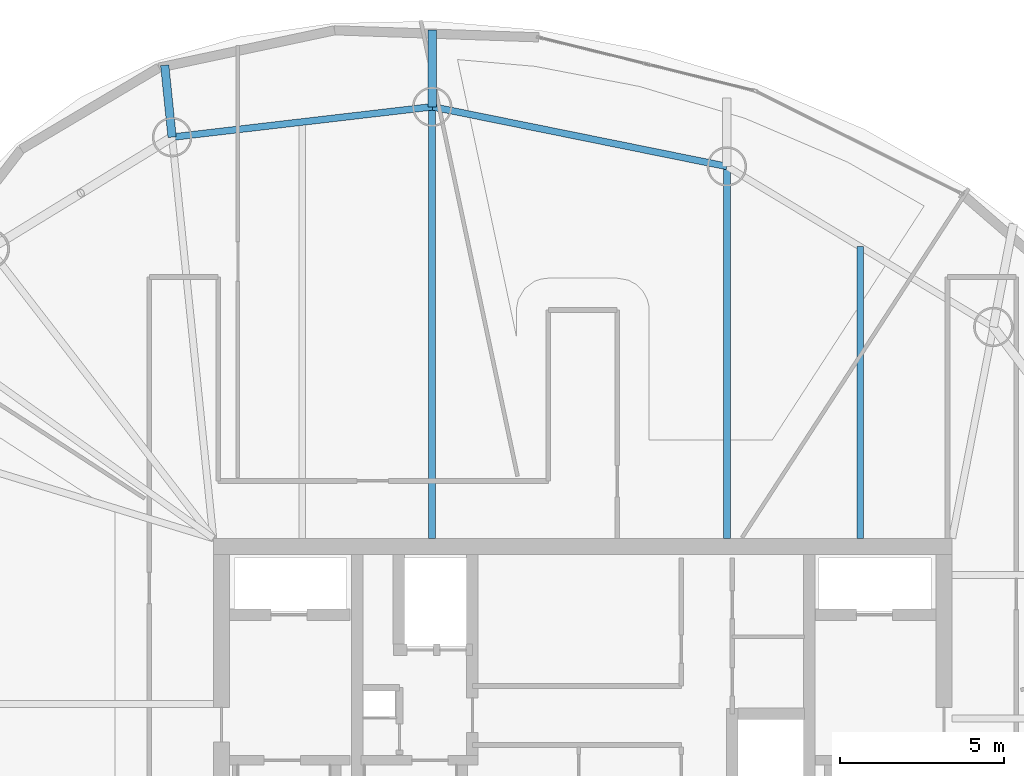
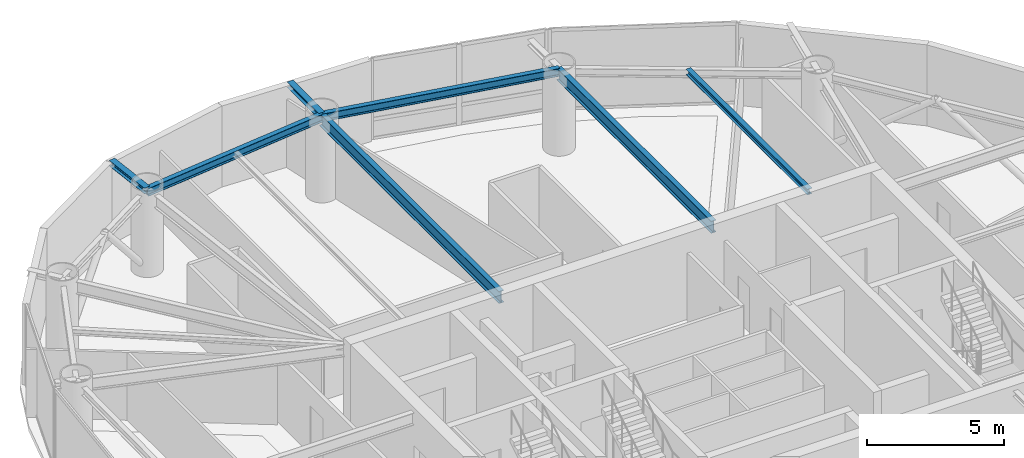
# One storey, part 12 of 22: 7 beams.
"""IFC4 building model written with IfcOpenShell, lengths in metres."""

from ifc_helpers import new_model, si_unit, direction, frame, origin, origin_2d, place, context, subcontext, project, spatial, i_section, extrude, material, material_profile, profile_set, type_object, element, save


model = new_model("IFC4")

# Units and contexts
model_context = context("Model", 3, precision=1e-05, world=origin(), true_north=direction((0.0, 1.0)))
body_context = subcontext(model_context, "Body", "Model", "MODEL_VIEW")
ifc_project = project(units=[si_unit("LENGTHUNIT", "METRE"), si_unit("AREAUNIT", "SQUARE_METRE"), si_unit("VOLUMEUNIT", "CUBIC_METRE"), si_unit("PLANEANGLEUNIT", "RADIAN"), si_unit("MASSUNIT", "GRAM", prefix="KILO")], contexts=[model_context])

# Site, building, storey
site_placement = place(None, origin())
site = spatial("IfcSite", under=ifc_project, at=site_placement, CompositionType="ELEMENT")
building_placement = place(site_placement, origin())
building = spatial("IfcBuilding", under=site, at=building_placement, Name="Bramvorn Convention Spire", CompositionType="ELEMENT")
storey_placement = place(building_placement, frame((0.0, 0.0, 225.10009765625)))
storey = spatial("IfcBuildingStorey", under=building, at=storey_placement, Name="L57", CompositionType="ELEMENT", Elevation=225.10009765625)

# Beams
ifc_material = material(Name="Steel CSA G40.21 Grade 350 (350W)", Category="steel")
ifc_material_profile_1 = material_profile(ifc_material, i_section(OverallWidth=0.201904296875, OverallDepth=0.2470703125, WebThickness=0.00732421875, FlangeThickness=0.010986328125, FilletRadius=0.011962890625, at=origin_2d()))
ifc_profile_set_1 = profile_set([ifc_material_profile_1], Name="Steel CSA G40.21 Grade 350 (350W) - W250X49")
beam_type_1 = type_object("IfcBeamType", Name="BM-W250X49", PredefinedType="JOIST", material=ifc_profile_set_1)
beam_1_placement = place(storey_placement, frame((46.445556640625, 33.449951171875, 3.496337890625), z_axis=(0.0, 1.0, 0.0), x_axis=(-1.0, 0.0, 0.0)))
element("IfcBeam", 1, at=beam_1_placement, inside=storey, type_object=beam_type_1, Name="L57 composite floor joist 05", PredefinedType="JOIST", context=body_context, shape_type="SweptSolid", body=[
    extrude(i_section(OverallWidth=0.201904296875, OverallDepth=0.2470703125, WebThickness=0.00732421875, FlangeThickness=0.010986328125, FilletRadius=0.011962890625, at=origin_2d()), origin(), (0.0, 0.0, 1.0), 8.878662109375),
])
ifc_material_profile_2 = material_profile(ifc_material, i_section(OverallWidth=0.25390625, OverallDepth=0.2529296875, WebThickness=0.008544921875, FlangeThickness=0.01416015625, FilletRadius=0.011962890625, at=origin_2d()))
ifc_profile_set_2 = profile_set([ifc_material_profile_2], Name="Steel CSA G40.21 Grade 350 (350W) - W250X73")
beam_type_2 = type_object("IfcBeamType", Name="BM-W250X73", PredefinedType="BEAM", material=ifc_profile_set_2)
beam_2_placement = place(storey_placement, frame((33.416259765625, 46.58837890625, 3.493408203125), z_axis=(0.0, 1.0, 0.0), x_axis=(-1.0, 0.0, 0.0)))
element("IfcBeam", 2, at=beam_2_placement, inside=storey, type_object=beam_type_2, Name="L57 slab-edge cantilever tip beam MC07", PredefinedType="BEAM", context=body_context, shape_type="SweptSolid", body=[
    extrude(i_section(OverallWidth=0.25390625, OverallDepth=0.2529296875, WebThickness=0.008544921875, FlangeThickness=0.01416015625, FilletRadius=0.011962890625, at=origin_2d()), origin(), (0.0, 0.0, 1.0), 2.33642578125),
])
beam_3_placement = place(storey_placement, frame((25.49560546875, 45.663818359375, 3.493408203125), z_axis=(-0.102240121473, 0.994759748664, 0.0), x_axis=(-0.994759748664, -0.102240121473, 0.0)))
element("IfcBeam", 3, at=beam_3_placement, inside=storey, type_object=beam_type_2, Name="L57 slab-edge cantilever tip beam MC08", PredefinedType="BEAM", context=body_context, shape_type="SweptSolid", body=[
    extrude(i_section(OverallWidth=0.25390625, OverallDepth=0.2529296875, WebThickness=0.008544921875, FlangeThickness=0.01416015625, FilletRadius=0.011962890625, at=origin_2d()), origin(), (0.0, 0.0, 1.0), 2.19921875),
])
ifc_material_profile_3 = material_profile(ifc_material, i_section(OverallWidth=0.205078125, OverallDepth=0.35400390625, WebThickness=0.009521484375, FlangeThickness=0.016845703125, FilletRadius=0.014892578125, at=origin_2d()))
ifc_profile_set_3 = profile_set([ifc_material_profile_3], Name="Steel CSA G40.21 Grade 350 (350W) - W360X79")
beam_type_3 = type_object("IfcBeamType", Name="BM-W360X79", PredefinedType="JOIST", material=ifc_profile_set_3)
beam_4_placement = place(storey_placement, frame((42.38916015625, 44.772216796875, 3.44287109375), z_axis=(-0.980124701676, 0.198382381187, 0.0), x_axis=(-0.198382381187, -0.980124701676, 0.0)))
element("IfcBeam", 4, at=beam_4_placement, inside=storey, type_object=beam_type_3, Name="L57 mega-column ring beam 06", PredefinedType="JOIST", context=body_context, shape_type="SweptSolid", body=[
    extrude(i_section(OverallWidth=0.205078125, OverallDepth=0.35400390625, WebThickness=0.009521484375, FlangeThickness=0.016845703125, FilletRadius=0.014892578125, at=origin_2d()), origin(), (0.0, 0.0, 1.0), 9.15478515625),
])
beam_5_placement = place(storey_placement, frame((33.416259765625, 46.58837890625, 3.44287109375), z_axis=(-0.993256148339, -0.115940604561, 0.0), x_axis=(0.115940604561, -0.993256148339, 0.0)))
element("IfcBeam", 5, at=beam_5_placement, inside=storey, type_object=beam_type_3, Name="L57 mega-column ring beam 07", PredefinedType="JOIST", context=body_context, shape_type="SweptSolid", body=[
    extrude(i_section(OverallWidth=0.205078125, OverallDepth=0.35400390625, WebThickness=0.009521484375, FlangeThickness=0.016845703125, FilletRadius=0.014892578125, at=origin_2d()), origin(), (0.0, 0.0, 1.0), 7.974365234375),
])
ifc_material_profile_4 = material_profile(ifc_material, i_section(OverallWidth=0.2119140625, OverallDepth=0.5439453125, WebThickness=0.01318359375, FlangeThickness=0.021240234375, FilletRadius=0.01904296875, at=origin_2d()))
ifc_profile_set_4 = profile_set([ifc_material_profile_4], Name="Steel CSA G40.21 Grade 350 (350W) - W530X123")
beam_type_4 = type_object("IfcBeamType", Name="BM-W530X123", PredefinedType="BEAM", material=ifc_profile_set_4)
beam_6_placement = place(storey_placement, frame((42.38916015625, 33.449951171875, 3.347900390625), z_axis=(0.0, 1.0, 0.0), x_axis=(-1.0, 0.0, 0.0)))
element("IfcBeam", 6, at=beam_6_placement, inside=storey, type_object=beam_type_4, Name="L57 radial floor girder MC06", PredefinedType="BEAM", context=body_context, shape_type="SweptSolid", body=[
    extrude(i_section(OverallWidth=0.2119140625, OverallDepth=0.5439453125, WebThickness=0.01318359375, FlangeThickness=0.021240234375, FilletRadius=0.01904296875, at=origin_2d()), origin(), (0.0, 0.0, 1.0), 11.322265625),
])
beam_7_placement = place(storey_placement, frame((33.416259765625, 33.449951171875, 3.347900390625), z_axis=(0.0, 1.0, 0.0), x_axis=(-1.0, 0.0, 0.0)))
element("IfcBeam", 7, at=beam_7_placement, inside=storey, type_object=beam_type_4, Name="L57 radial floor girder MC07", PredefinedType="BEAM", context=body_context, shape_type="SweptSolid", body=[
    extrude(i_section(OverallWidth=0.2119140625, OverallDepth=0.5439453125, WebThickness=0.01318359375, FlangeThickness=0.021240234375, FilletRadius=0.01904296875, at=origin_2d()), origin(), (0.0, 0.0, 1.0), 13.138427734375),
])

save(model, "model.ifc")
